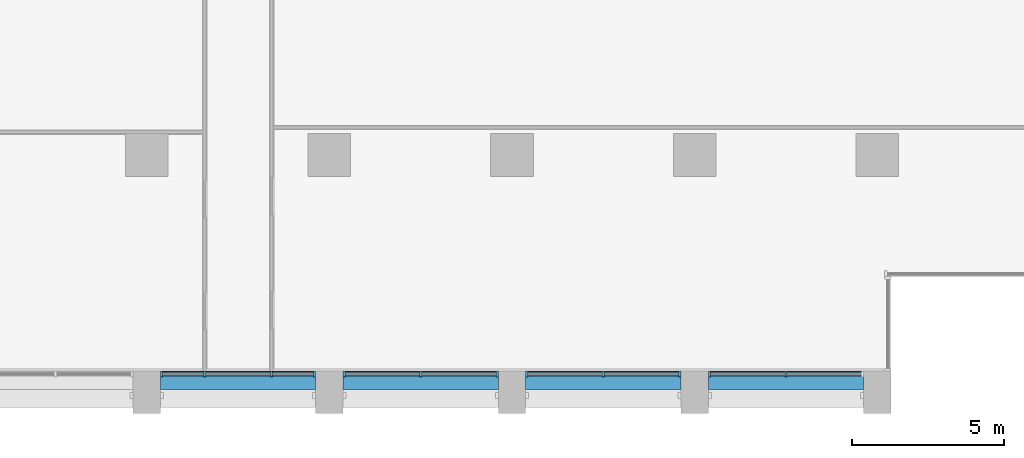
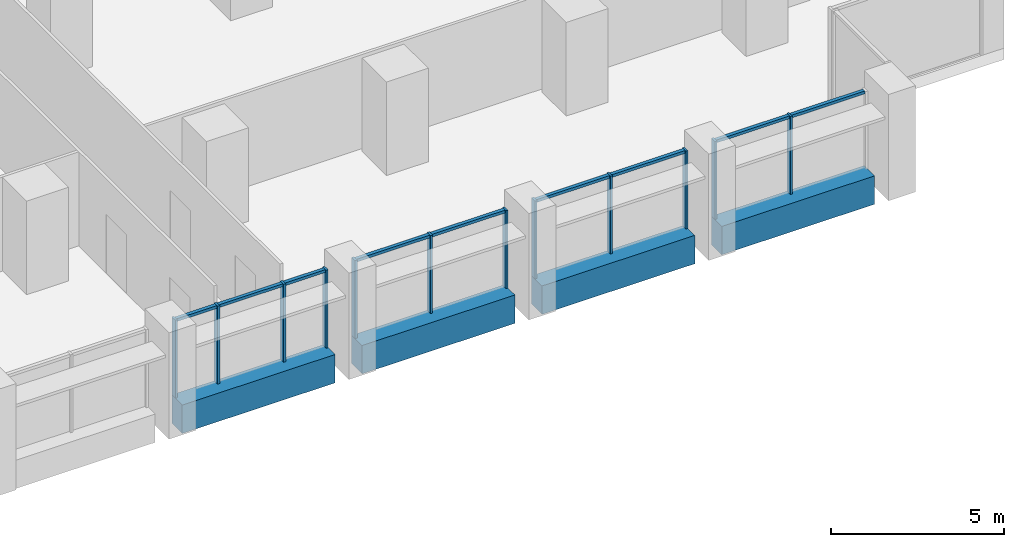
# One storey, part 3 of 15: 21 members, 4 beams, 4 elements without a shape of their own.
"""IFC4 building model written with IfcOpenShell, lengths in metres."""

from ifc_helpers import new_model, si_unit, direction, frame, origin, origin_2d, place, context, subcontext, project, spatial, rectangle, extrude, material, material_profile, profile_set, type_object, element, aggregate, save


model = new_model("IFC4")

# Units and contexts
model_context = context("Model", 3, precision=1e-05, world=origin(), true_north=direction((0.0, 1.0)))
body_context = subcontext(model_context, "Body", "Model", "MODEL_VIEW")
ifc_project = project(units=[si_unit("LENGTHUNIT", "METRE"), si_unit("AREAUNIT", "SQUARE_METRE"), si_unit("VOLUMEUNIT", "CUBIC_METRE"), si_unit("PLANEANGLEUNIT", "RADIAN"), si_unit("MASSUNIT", "GRAM", prefix="KILO")], contexts=[model_context])

# Site, building, storey
site_placement = place(None, origin())
site = spatial("IfcSite", under=ifc_project, at=site_placement, CompositionType="ELEMENT")
building_placement = place(site_placement, origin())
building = spatial("IfcBuilding", under=site, at=building_placement, Name="Calvaro Tower", CompositionType="ELEMENT")
storey_placement = place(building_placement, frame((0.0, 0.0, 110.0)))
storey = spatial("IfcBuildingStorey", under=building, at=storey_placement, Name="L27", CompositionType="ELEMENT", Elevation=110.0)

# Curtain wall, members
ifc_material_1 = material(Name="Anodised aluminium", Category="aluminium")
curtain_wall_type = type_object("IfcCurtainWallType", Name="Office curtain wall, middle zone", PredefinedType="NOTDEFINED", material=ifc_material_1)
curtain_wall_1_placement = place(storey_placement, origin())
curtain_wall_1 = element("IfcCurtainWall", 1, at=curtain_wall_1_placement, inside=storey, type_object=curtain_wall_type, Name="CW2 south curtain wall", PredefinedType="NOTDEFINED")
ifc_material_2 = material(Name="Anodised aluminium", Category="aluminium")
ifc_material_profile_1 = material_profile(ifc_material_2, rectangle(XDim=0.199951171875, YDim=0.070068359375, at=origin_2d()), Name="Mullion S2 70 x 200")
ifc_profile_set_1 = profile_set([ifc_material_profile_1], Name="Anodised aluminium")
member_type_1 = type_object("IfcMemberType", Name="Mullion S2 70 x 200", PredefinedType="MULLION", material=ifc_profile_set_1)
member_1_placement = place(storey_placement, frame((42.485107421875, 2.800048828125, 0.0), z_axis=(0.0, 0.0, 1.0), x_axis=(0.0, 1.0, 0.0)))
member_1 = element("IfcMember", 2, at=member_1_placement, type_object=member_type_1, Name="CW2 mullion 1", PredefinedType="MULLION", context=body_context, shape_type="SweptSolid", body=[
    extrude(rectangle(XDim=0.199951171875, YDim=0.070068359375, at=origin_2d()), origin(), (0.0, 0.0, 1.0), 2.75),
])
member_2_placement = place(storey_placement, frame((43.89990234375, 2.800048828125, 0.0), z_axis=(0.0, 0.0, 1.0), x_axis=(0.0, 1.0, 0.0)))
member_2 = element("IfcMember", 3, at=member_2_placement, type_object=member_type_1, Name="CW2 mullion 2", PredefinedType="MULLION", context=body_context, shape_type="SweptSolid", body=[
    extrude(rectangle(XDim=0.199951171875, YDim=0.070068359375, at=origin_2d()), origin(), (0.0, 0.0, 1.0), 2.75),
])
member_3_placement = place(storey_placement, frame((46.10009765625, 2.800048828125, 0.0), z_axis=(0.0, 0.0, 1.0), x_axis=(0.0, 1.0, 0.0)))
member_3 = element("IfcMember", 4, at=member_3_placement, type_object=member_type_1, Name="CW2 mullion 3", PredefinedType="MULLION", context=body_context, shape_type="SweptSolid", body=[
    extrude(rectangle(XDim=0.199951171875, YDim=0.070068359375, at=origin_2d()), origin(), (0.0, 0.0, 1.0), 2.75),
])
member_4_placement = place(storey_placement, frame((47.514892578125, 2.800048828125, 0.0), z_axis=(0.0, 0.0, 1.0), x_axis=(0.0, 1.0, 0.0)))
member_4 = element("IfcMember", 5, at=member_4_placement, type_object=member_type_1, Name="CW2 mullion 4", PredefinedType="MULLION", context=body_context, shape_type="SweptSolid", body=[
    extrude(rectangle(XDim=0.199951171875, YDim=0.070068359375, at=origin_2d()), origin(), (0.0, 0.0, 1.0), 2.75),
])

curtain_wall_2_placement = place(storey_placement, origin())
curtain_wall_2 = element("IfcCurtainWall", 6, at=curtain_wall_2_placement, inside=storey, type_object=curtain_wall_type, Name="CW2 south curtain wall", PredefinedType="NOTDEFINED")
member_5_placement = place(storey_placement, frame((48.485107421875, 2.800048828125, 0.0), z_axis=(0.0, 0.0, 1.0), x_axis=(0.0, 1.0, 0.0)))
member_5 = element("IfcMember", 7, at=member_5_placement, type_object=member_type_1, Name="CW2 mullion 1", PredefinedType="MULLION", context=body_context, shape_type="SweptSolid", body=[
    extrude(rectangle(XDim=0.199951171875, YDim=0.070068359375, at=origin_2d()), origin(), (0.0, 0.0, 1.0), 2.75),
])
member_6_placement = place(storey_placement, frame((51.0, 2.800048828125, 0.0), z_axis=(0.0, 0.0, 1.0), x_axis=(0.0, 1.0, 0.0)))
member_6 = element("IfcMember", 8, at=member_6_placement, type_object=member_type_1, Name="CW2 mullion 2", PredefinedType="MULLION", context=body_context, shape_type="SweptSolid", body=[
    extrude(rectangle(XDim=0.199951171875, YDim=0.070068359375, at=origin_2d()), origin(), (0.0, 0.0, 1.0), 2.75),
])
member_7_placement = place(storey_placement, frame((53.514892578125, 2.800048828125, 0.0), z_axis=(0.0, 0.0, 1.0), x_axis=(0.0, 1.0, 0.0)))
member_7 = element("IfcMember", 9, at=member_7_placement, type_object=member_type_1, Name="CW2 mullion 3", PredefinedType="MULLION", context=body_context, shape_type="SweptSolid", body=[
    extrude(rectangle(XDim=0.199951171875, YDim=0.070068359375, at=origin_2d()), origin(), (0.0, 0.0, 1.0), 2.75),
])

curtain_wall_3_placement = place(storey_placement, origin())
curtain_wall_3 = element("IfcCurtainWall", 10, at=curtain_wall_3_placement, inside=storey, type_object=curtain_wall_type, Name="CW2 south curtain wall", PredefinedType="NOTDEFINED")
member_8_placement = place(storey_placement, frame((54.485107421875, 2.800048828125, 0.0), z_axis=(0.0, 0.0, 1.0), x_axis=(0.0, 1.0, 0.0)))
member_8 = element("IfcMember", 11, at=member_8_placement, type_object=member_type_1, Name="CW2 mullion 1", PredefinedType="MULLION", context=body_context, shape_type="SweptSolid", body=[
    extrude(rectangle(XDim=0.199951171875, YDim=0.070068359375, at=origin_2d()), origin(), (0.0, 0.0, 1.0), 2.75),
])
member_9_placement = place(storey_placement, frame((57.0, 2.800048828125, 0.0), z_axis=(0.0, 0.0, 1.0), x_axis=(0.0, 1.0, 0.0)))
member_9 = element("IfcMember", 12, at=member_9_placement, type_object=member_type_1, Name="CW2 mullion 2", PredefinedType="MULLION", context=body_context, shape_type="SweptSolid", body=[
    extrude(rectangle(XDim=0.199951171875, YDim=0.070068359375, at=origin_2d()), origin(), (0.0, 0.0, 1.0), 2.75),
])
member_10_placement = place(storey_placement, frame((59.514892578125, 2.800048828125, 0.0), z_axis=(0.0, 0.0, 1.0), x_axis=(0.0, 1.0, 0.0)))
member_10 = element("IfcMember", 13, at=member_10_placement, type_object=member_type_1, Name="CW2 mullion 3", PredefinedType="MULLION", context=body_context, shape_type="SweptSolid", body=[
    extrude(rectangle(XDim=0.199951171875, YDim=0.070068359375, at=origin_2d()), origin(), (0.0, 0.0, 1.0), 2.75),
])

curtain_wall_4_placement = place(storey_placement, origin())
curtain_wall_4 = element("IfcCurtainWall", 14, at=curtain_wall_4_placement, inside=storey, type_object=curtain_wall_type, Name="CW2 south curtain wall", PredefinedType="NOTDEFINED")
member_11_placement = place(storey_placement, frame((60.485107421875, 2.800048828125, 0.0), z_axis=(0.0, 0.0, 1.0), x_axis=(0.0, 1.0, 0.0)))
member_11 = element("IfcMember", 15, at=member_11_placement, type_object=member_type_1, Name="CW2 mullion 1", PredefinedType="MULLION", context=body_context, shape_type="SweptSolid", body=[
    extrude(rectangle(XDim=0.199951171875, YDim=0.070068359375, at=origin_2d()), origin(), (0.0, 0.0, 1.0), 2.75),
])
member_12_placement = place(storey_placement, frame((63.0, 2.800048828125, 0.0), z_axis=(0.0, 0.0, 1.0), x_axis=(0.0, 1.0, 0.0)))
member_12 = element("IfcMember", 16, at=member_12_placement, type_object=member_type_1, Name="CW2 mullion 2", PredefinedType="MULLION", context=body_context, shape_type="SweptSolid", body=[
    extrude(rectangle(XDim=0.199951171875, YDim=0.070068359375, at=origin_2d()), origin(), (0.0, 0.0, 1.0), 2.75),
])

# Beams
ifc_material_3 = material(Name="Concrete C50/60 precast", Category="concrete")
ifc_material_profile_2 = material_profile(ifc_material_3, rectangle(XDim=0.60009765625, YDim=1.0, at=origin_2d()), Name="RC 600x1000")
ifc_profile_set_2 = profile_set([ifc_material_profile_2], Name="Concrete C50/60 precast")
beam_type = type_object("IfcBeamType", Name="Spandrel beam 600x1000 C50/60", PredefinedType="SPANDREL", material=ifc_profile_set_2)
for number, where, z_axis, x_axis, name in (
    (17, (42.449951171875, 2.60009765625, -0.5), (1.0, 0.0, 0.0), (0.0, 1.0, 0.0), "Spandrel beam"),
    (18, (48.449951171875, 2.60009765625, -0.5), (1.0, 0.0, 0.0), (0.0, 1.0, 0.0), "Spandrel beam"),
    (19, (54.449951171875, 2.60009765625, -0.5), (1.0, 0.0, 0.0), (0.0, 1.0, 0.0), "Spandrel beam"),
    (20, (60.449951171875, 2.60009765625, -0.5), (1.0, 0.0, 0.0), (0.0, 1.0, 0.0), "Spandrel beam"),
):
    element("IfcBeam", number, at=place(storey_placement, frame(where, z_axis=z_axis, x_axis=x_axis)), inside=storey, type_object=beam_type, Name=name, PredefinedType="SPANDREL", context=body_context, shape_type="SweptSolid", body=[
        extrude(rectangle(XDim=0.60009765625, YDim=1.0, at=origin_2d()), origin(), (0.0, 0.0, 1.0), 5.10009765625),
    ])

# Member
ifc_material_4 = material(Name="Anodised aluminium", Category="aluminium")
ifc_material_profile_3 = material_profile(ifc_material_4, rectangle(XDim=0.1201171875, YDim=0.10009765625, at=origin_2d()), Name="Transom S2 100 x 120")
ifc_profile_set_3 = profile_set([ifc_material_profile_3], Name="Anodised aluminium")
member_type_2 = type_object("IfcMemberType", Name="Transom S2 100 x 120", PredefinedType="USERDEFINED", material=ifc_profile_set_3)
member_13_placement = place(storey_placement, frame((42.52001953125, 2.800048828125, 2.699951171875), z_axis=(1.0, 0.0, 0.0), x_axis=(0.0, 1.0, 0.0)))
member_13 = element("IfcMember", 21, at=member_13_placement, type_object=member_type_2, Name="CW2 transom 1.1", ObjectType="TRANSOM", PredefinedType="USERDEFINED", context=body_context, shape_type="SweptSolid", body=[
    extrude(rectangle(XDim=0.1201171875, YDim=0.10009765625, at=origin_2d()), origin(), (0.0, 0.0, 1.0), 1.344970703125),
])

member_14_placement = place(storey_placement, frame((43.93505859375, 2.800048828125, 2.699951171875), z_axis=(1.0, 0.0, 0.0), x_axis=(0.0, 1.0, 0.0)))
member_14 = element("IfcMember", 22, at=member_14_placement, type_object=member_type_2, Name="CW2 transom 2.1", ObjectType="TRANSOM", PredefinedType="USERDEFINED", context=body_context, shape_type="SweptSolid", body=[
    extrude(rectangle(XDim=0.1201171875, YDim=0.10009765625, at=origin_2d()), origin(), (0.0, 0.0, 1.0), 2.1298828125),
])

member_15_placement = place(storey_placement, frame((46.135009765625, 2.800048828125, 2.699951171875), z_axis=(1.0, 0.0, 0.0), x_axis=(0.0, 1.0, 0.0)))
member_15 = element("IfcMember", 23, at=member_15_placement, type_object=member_type_2, Name="CW2 transom 3.1", ObjectType="TRANSOM", PredefinedType="USERDEFINED", context=body_context, shape_type="SweptSolid", body=[
    extrude(rectangle(XDim=0.1201171875, YDim=0.10009765625, at=origin_2d()), origin(), (0.0, 0.0, 1.0), 1.344970703125),
])

aggregate(curtain_wall_1, [member_1, member_2, member_3, member_4, member_13, member_14, member_15])

member_16_placement = place(storey_placement, frame((48.52001953125, 2.800048828125, 2.699951171875), z_axis=(1.0, 0.0, 0.0), x_axis=(0.0, 1.0, 0.0)))
member_16 = element("IfcMember", 24, at=member_16_placement, type_object=member_type_2, Name="CW2 transom 1.1", ObjectType="TRANSOM", PredefinedType="USERDEFINED", context=body_context, shape_type="SweptSolid", body=[
    extrude(rectangle(XDim=0.1201171875, YDim=0.10009765625, at=origin_2d()), origin(), (0.0, 0.0, 1.0), 2.445068359375),
])

member_17_placement = place(storey_placement, frame((51.034912109375, 2.800048828125, 2.699951171875), z_axis=(1.0, 0.0, 0.0), x_axis=(0.0, 1.0, 0.0)))
member_17 = element("IfcMember", 25, at=member_17_placement, type_object=member_type_2, Name="CW2 transom 2.1", ObjectType="TRANSOM", PredefinedType="USERDEFINED", context=body_context, shape_type="SweptSolid", body=[
    extrude(rectangle(XDim=0.1201171875, YDim=0.10009765625, at=origin_2d()), origin(), (0.0, 0.0, 1.0), 2.445068359375),
])

aggregate(curtain_wall_2, [member_5, member_6, member_7, member_16, member_17])

member_18_placement = place(storey_placement, frame((54.52001953125, 2.800048828125, 2.699951171875), z_axis=(1.0, 0.0, 0.0), x_axis=(0.0, 1.0, 0.0)))
member_18 = element("IfcMember", 26, at=member_18_placement, type_object=member_type_2, Name="CW2 transom 1.1", ObjectType="TRANSOM", PredefinedType="USERDEFINED", context=body_context, shape_type="SweptSolid", body=[
    extrude(rectangle(XDim=0.1201171875, YDim=0.10009765625, at=origin_2d()), origin(), (0.0, 0.0, 1.0), 2.445068359375),
])

member_19_placement = place(storey_placement, frame((57.034912109375, 2.800048828125, 2.699951171875), z_axis=(1.0, 0.0, 0.0), x_axis=(0.0, 1.0, 0.0)))
member_19 = element("IfcMember", 27, at=member_19_placement, type_object=member_type_2, Name="CW2 transom 2.1", ObjectType="TRANSOM", PredefinedType="USERDEFINED", context=body_context, shape_type="SweptSolid", body=[
    extrude(rectangle(XDim=0.1201171875, YDim=0.10009765625, at=origin_2d()), origin(), (0.0, 0.0, 1.0), 2.445068359375),
])

aggregate(curtain_wall_3, [member_8, member_9, member_10, member_18, member_19])

member_20_placement = place(storey_placement, frame((60.52001953125, 2.800048828125, 2.699951171875), z_axis=(1.0, 0.0, 0.0), x_axis=(0.0, 1.0, 0.0)))
member_20 = element("IfcMember", 28, at=member_20_placement, type_object=member_type_2, Name="CW2 transom 1.1", ObjectType="TRANSOM", PredefinedType="USERDEFINED", context=body_context, shape_type="SweptSolid", body=[
    extrude(rectangle(XDim=0.1201171875, YDim=0.10009765625, at=origin_2d()), origin(), (0.0, 0.0, 1.0), 2.445068359375),
])

member_21_placement = place(storey_placement, frame((63.034912109375, 2.800048828125, 2.699951171875), z_axis=(1.0, 0.0, 0.0), x_axis=(0.0, 1.0, 0.0)))
member_21 = element("IfcMember", 29, at=member_21_placement, type_object=member_type_2, Name="CW2 transom 2.1", ObjectType="TRANSOM", PredefinedType="USERDEFINED", context=body_context, shape_type="SweptSolid", body=[
    extrude(rectangle(XDim=0.1201171875, YDim=0.10009765625, at=origin_2d()), origin(), (0.0, 0.0, 1.0), 2.445068359375),
])

aggregate(curtain_wall_4, [member_11, member_12, member_20, member_21])

save(model, "model.ifc")
